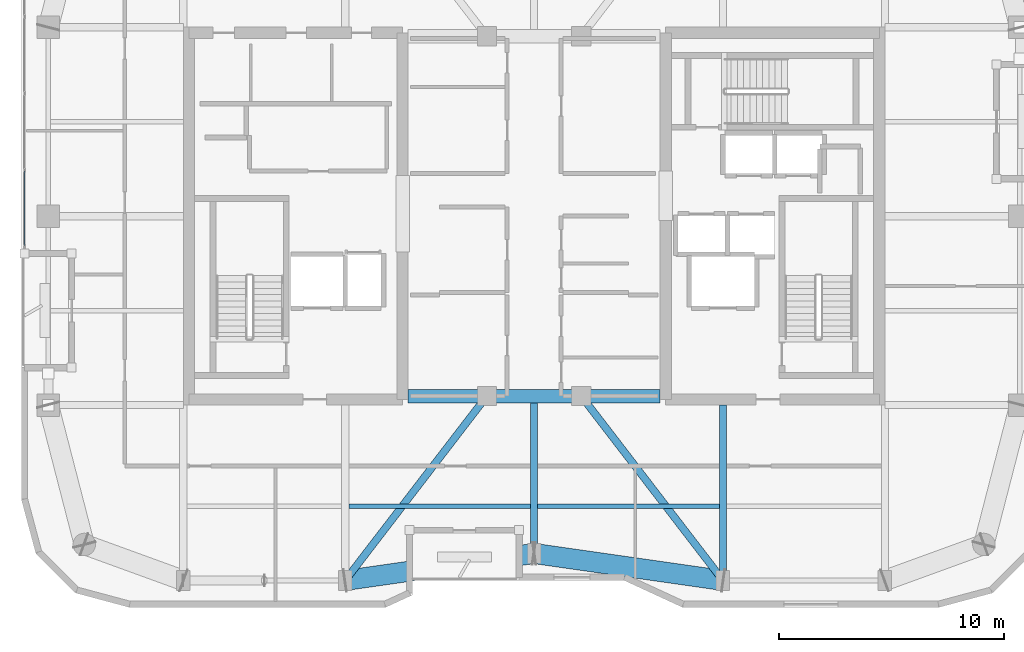
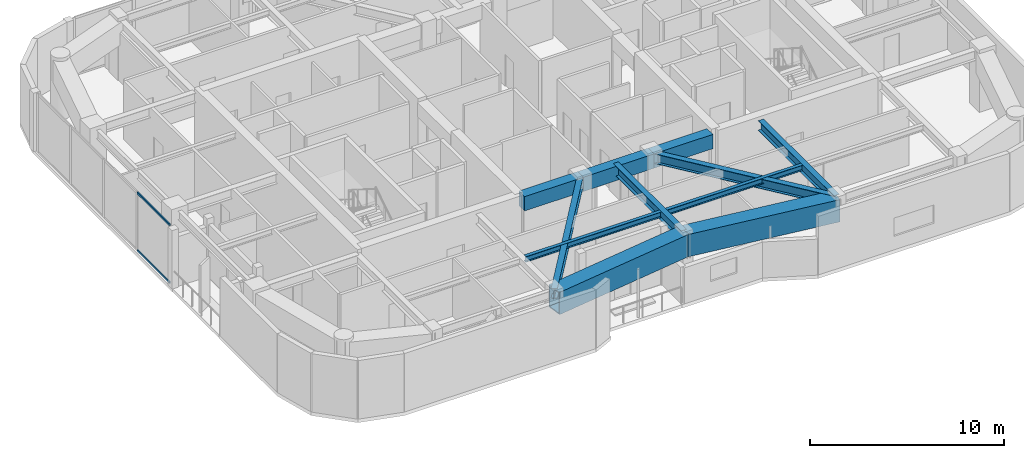
# One storey, part 3 of 15: 11 beams, 2 members, 1 element without a shape of its own.
"""IFC4 building model written with IfcOpenShell, lengths in metres."""

from ifc_helpers import new_model, si_unit, direction, frame, origin, origin_2d, place, context, subcontext, project, spatial, rectangle, hollow_rectangle, i_section, extrude, material, layer, layer_set, material_profile, profile_set, type_object, element, aggregate, save


model = new_model("IFC4")

# Units and contexts
model_context = context("Model", 3, precision=1e-05, world=origin(), true_north=direction((0.0, 1.0)))
body_context = subcontext(model_context, "Body", "Model", "MODEL_VIEW")
ifc_project = project(units=[si_unit("LENGTHUNIT", "METRE"), si_unit("AREAUNIT", "SQUARE_METRE"), si_unit("VOLUMEUNIT", "CUBIC_METRE"), si_unit("PLANEANGLEUNIT", "RADIAN"), si_unit("MASSUNIT", "GRAM", prefix="KILO")], contexts=[model_context])

# Site, building, storey
site_placement = place(None, origin())
site = spatial("IfcSite", under=ifc_project, at=site_placement, CompositionType="ELEMENT")
building_placement = place(site_placement, origin())
building = spatial("IfcBuilding", under=site, at=building_placement, Name="Kiyonajd Concourse Tower", CompositionType="ELEMENT")
storey_placement = place(building_placement, frame((0.0, 0.0, 262.800048828125)))
storey = spatial("IfcBuildingStorey", under=building, at=storey_placement, Name="L66", CompositionType="ELEMENT", Elevation=262.800048828125)

# Beams
ifc_material_1 = material(Name="Concrete C60/75", Category="concrete")
ifc_material_profile_1 = material_profile(ifc_material_1, rectangle(XDim=0.60009765625, YDim=0.89990234375, at=origin_2d()), Name="RCBM-600x900")
ifc_profile_set_1 = profile_set([ifc_material_profile_1], Name="Concrete C60/75")
beam_type_1 = type_object("IfcBeamType", Name="BM-COUP-900", PredefinedType="LINTEL", material=ifc_profile_set_1)
beam_1_placement = place(storey_placement, frame((42.39990234375, 28.0, 3.22998046875), z_axis=(1.0, 0.0, 0.0), x_axis=(0.0, 1.0, 0.0)))
element("IfcBeam", 1, at=beam_1_placement, inside=storey, type_object=beam_type_1, Name="L66 Core Coupling Beam S1", PredefinedType="LINTEL", context=body_context, shape_type="SweptSolid", body=[
    extrude(rectangle(XDim=0.60009765625, YDim=0.89990234375, at=origin_2d()), origin(), (0.0, 0.0, 1.0), 3.5),
])
beam_2_placement = place(storey_placement, frame((45.89990234375, 28.0, 3.22998046875), z_axis=(1.0, 0.0, 0.0), x_axis=(0.0, 1.0, 0.0)))
element("IfcBeam", 2, at=beam_2_placement, inside=storey, type_object=beam_type_1, Name="L66 Core Coupling Beam S2", PredefinedType="LINTEL", context=body_context, shape_type="SweptSolid", body=[
    extrude(rectangle(XDim=0.60009765625, YDim=0.89990234375, at=origin_2d()), origin(), (0.0, 0.0, 1.0), 4.2001953125),
])
beam_3_placement = place(storey_placement, frame((50.10009765625, 28.0, 3.22998046875), z_axis=(1.0, 0.0, 0.0), x_axis=(0.0, 1.0, 0.0)))
element("IfcBeam", 3, at=beam_3_placement, inside=storey, type_object=beam_type_1, Name="L66 Core Coupling Beam S3", PredefinedType="LINTEL", context=body_context, shape_type="SweptSolid", body=[
    extrude(rectangle(XDim=0.60009765625, YDim=0.89990234375, at=origin_2d()), origin(), (0.0, 0.0, 1.0), 3.5),
])
ifc_material_2 = material(Name="Steel ASTM A992 Grade 50", Category="steel")
ifc_material_profile_2 = material_profile(ifc_material_2, i_section(OverallWidth=0.205078125, OverallDepth=0.35400390625, WebThickness=0.009521484375, FlangeThickness=0.016845703125, at=origin_2d()), Name="W360X79")
ifc_profile_set_2 = profile_set([ifc_material_profile_2], Name="Steel ASTM A992 Grade 50")
beam_type_2 = type_object("IfcBeamType", Name="BM-JST-360", PredefinedType="JOIST", material=ifc_profile_set_2)
for number, where, z_axis, x_axis, name in (
    (4, (39.761962890625, 23.10009765625, 3.5029296875), (1.0, 0.0, 0.0), (0.0, 1.0, 0.0), "L66 Secondary Floor Joist"),
    (5, (48.162109375, 23.10009765625, 3.5029296875), (1.0, 0.0, 0.0), (0.0, 1.0, 0.0), "L66 Secondary Floor Joist"),
):
    element("IfcBeam", number, at=place(storey_placement, frame(where, z_axis=z_axis, x_axis=x_axis)), inside=storey, type_object=beam_type_2, Name=name, PredefinedType="JOIST", context=body_context, shape_type="SweptSolid", body=[
        extrude(i_section(OverallWidth=0.205078125, OverallDepth=0.35400390625, WebThickness=0.009521484375, FlangeThickness=0.016845703125, at=origin_2d()), origin(), (0.0, 0.0, 1.0), 8.075927734375),
    ])
ifc_material_profile_3 = material_profile(ifc_material_2, i_section(OverallWidth=0.326904296875, OverallDepth=0.6220703125, WebThickness=0.015380859375, FlangeThickness=0.0244140625, at=origin_2d()), Name="W610X195")
ifc_profile_set_3 = profile_set([ifc_material_profile_3], Name="Steel ASTM A992 Grade 50")
beam_type_3 = type_object("IfcBeamType", Name="BM-TWR-610A", PredefinedType="BEAM", material=ifc_profile_set_3)
for number, where, z_axis, x_axis, name in (
    (6, (39.60009765625, 19.800048828125, 3.368896484375), (0.609233709922, 0.792990722956, 0.0), (-0.792990722956, 0.609233709922, 0.0), "L66 Core Tie Girder"),
    (7, (50.10009765625, 28.0, 3.368896484375), (0.609233709922, -0.792990722956, 0.0), (0.792990722956, 0.609233709922, 0.0), "L66 Core Tie Girder"),
):
    element("IfcBeam", number, at=place(storey_placement, frame(where, z_axis=z_axis, x_axis=x_axis)), inside=storey, type_object=beam_type_3, Name=name, PredefinedType="BEAM", context=body_context, shape_type="SweptSolid", body=[
        extrude(i_section(OverallWidth=0.326904296875, OverallDepth=0.6220703125, WebThickness=0.015380859375, FlangeThickness=0.0244140625, at=origin_2d()), origin(), (0.0, 0.0, 1.0), 10.340576171875),
    ])
ifc_material_profile_4 = material_profile(ifc_material_2, i_section(OverallWidth=0.323974609375, OverallDepth=0.611083984375, WebThickness=0.0126953125, FlangeThickness=0.01904296875, at=origin_2d()), Name="W610X155")
ifc_profile_set_4 = profile_set([ifc_material_profile_4], Name="Steel ASTM A992 Grade 50")
beam_type_4 = type_object("IfcBeamType", Name="BM-TWR-610B", PredefinedType="BEAM", material=ifc_profile_set_4)
beam_4_placement = place(storey_placement, frame((56.39990234375, 19.800048828125, 3.37451171875), z_axis=(0.0, 1.0, 0.0), x_axis=(-1.0, 0.0, 0.0)))
element("IfcBeam", 8, at=beam_4_placement, inside=storey, type_object=beam_type_4, Name="L66 South Lease Girder", PredefinedType="BEAM", context=body_context, shape_type="SweptSolid", body=[
    extrude(i_section(OverallWidth=0.323974609375, OverallDepth=0.611083984375, WebThickness=0.0126953125, FlangeThickness=0.01904296875, at=origin_2d()), origin(), (0.0, 0.0, 1.0), 7.800048828125),
])
beam_5_placement = place(storey_placement, frame((48.0, 21.0, 3.37451171875), z_axis=(0.0, 1.0, 0.0), x_axis=(-1.0, 0.0, 0.0)))
element("IfcBeam", 9, at=beam_5_placement, inside=storey, type_object=beam_type_4, Name="L66 South Ribbon Girder", PredefinedType="BEAM", context=body_context, shape_type="SweptSolid", body=[
    extrude(i_section(OverallWidth=0.323974609375, OverallDepth=0.611083984375, WebThickness=0.0126953125, FlangeThickness=0.01904296875, at=origin_2d()), origin(), (0.0, 0.0, 1.0), 7.0),
])
ifc_material_3 = material(Name="Steel ASTM A572 Grade 50", Category="steel")
ifc_material_profile_5 = material_profile(ifc_material_3, hollow_rectangle(XDim=0.89990234375, YDim=1.39990234375, WallThickness=0.070068359375, at=origin_2d()), Name="BOX-1400x900x70")
ifc_profile_set_5 = profile_set([ifc_material_profile_5], Name="Steel ASTM A572 Grade 50")
beam_type_5 = type_object("IfcBeamType", Name="BM-XFER-1400", PredefinedType="BEAM", material=ifc_profile_set_5)
for number, where, z_axis, x_axis, name in (
    (10, (39.60009765625, 19.800048828125, 2.97998046875), (0.989950069105, 0.141417328072, 0.0), (-0.141417328072, 0.989950069105, 0.0), "L66 Perimeter Bundled Tube Spandrel"),
    (11, (48.0, 21.0, 2.97998046875), (0.989950069105, -0.141417328072, 0.0), (0.141417328072, 0.989950069105, 0.0), "L66 Perimeter Bundled Tube Spandrel"),
):
    element("IfcBeam", number, at=place(storey_placement, frame(where, z_axis=z_axis, x_axis=x_axis)), inside=storey, type_object=beam_type_5, Name=name, PredefinedType="BEAM", context=body_context, shape_type="SweptSolid", body=[
        extrude(hollow_rectangle(XDim=0.89990234375, YDim=1.39990234375, WallThickness=0.070068359375, at=origin_2d()), origin(), (0.0, 0.0, 1.0), 8.485107421875),
    ])

# Curtain wall, members
ifc_material_4 = material(Name="Thermally Broken Anodised Aluminium", Category="aluminium")
ifc_layer = layer(ifc_material_4, 0.179931640625)
ifc_layer_set = layer_set([ifc_layer], Name="Thermally Broken Anodised Aluminium")
curtain_wall_type = type_object("IfcCurtainWallType", Name="CW-SYS-04", PredefinedType="NOTDEFINED", material=ifc_layer_set)
curtain_wall_placement = place(storey_placement, origin())
curtain_wall = element("IfcCurtainWall", 12, at=curtain_wall_placement, inside=storey, type_object=curtain_wall_type, Name="L66 Unitised Curtain Wall CW4", PredefinedType="NOTDEFINED")
ifc_material_profile_6 = material_profile(ifc_material_4, hollow_rectangle(XDim=0.06494140625, YDim=0.139892578125, WallThickness=0.00390625, at=origin_2d()), Name="TRAN-65x140")
ifc_profile_set_6 = profile_set([ifc_material_profile_6], Name="Thermally Broken Anodised Aluminium")
member_type = type_object("IfcMemberType", Name="MB-CW-TRAN1", PredefinedType="USERDEFINED", material=ifc_profile_set_6)
member_1_placement = place(storey_placement, frame((25.340087890625, 34.695068359375, 0.032470703125), z_axis=(0.0, 1.0, 0.0), x_axis=(-1.0, 0.0, 0.0)))
member_1 = element("IfcMember", 13, at=member_1_placement, type_object=member_type, Name="CW4 transom 1.1", ObjectType="TRANSOM", PredefinedType="USERDEFINED", context=body_context, shape_type="SweptSolid", body=[
    extrude(hollow_rectangle(XDim=0.06494140625, YDim=0.139892578125, WallThickness=0.00390625, at=origin_2d()), origin(), (0.0, 0.0, 1.0), 3.31787109375),
])
member_2_placement = place(storey_placement, frame((25.340087890625, 34.695068359375, 3.6474609375), z_axis=(0.0, 1.0, 0.0), x_axis=(-1.0, 0.0, 0.0)))
member_2 = element("IfcMember", 14, at=member_2_placement, type_object=member_type, Name="CW4 transom 1.2", ObjectType="TRANSOM", PredefinedType="USERDEFINED", context=body_context, shape_type="SweptSolid", body=[
    extrude(hollow_rectangle(XDim=0.06494140625, YDim=0.139892578125, WallThickness=0.00390625, at=origin_2d()), origin(), (0.0, 0.0, 1.0), 3.31787109375),
])
aggregate(curtain_wall, [member_1, member_2])

save(model, "model.ifc")
